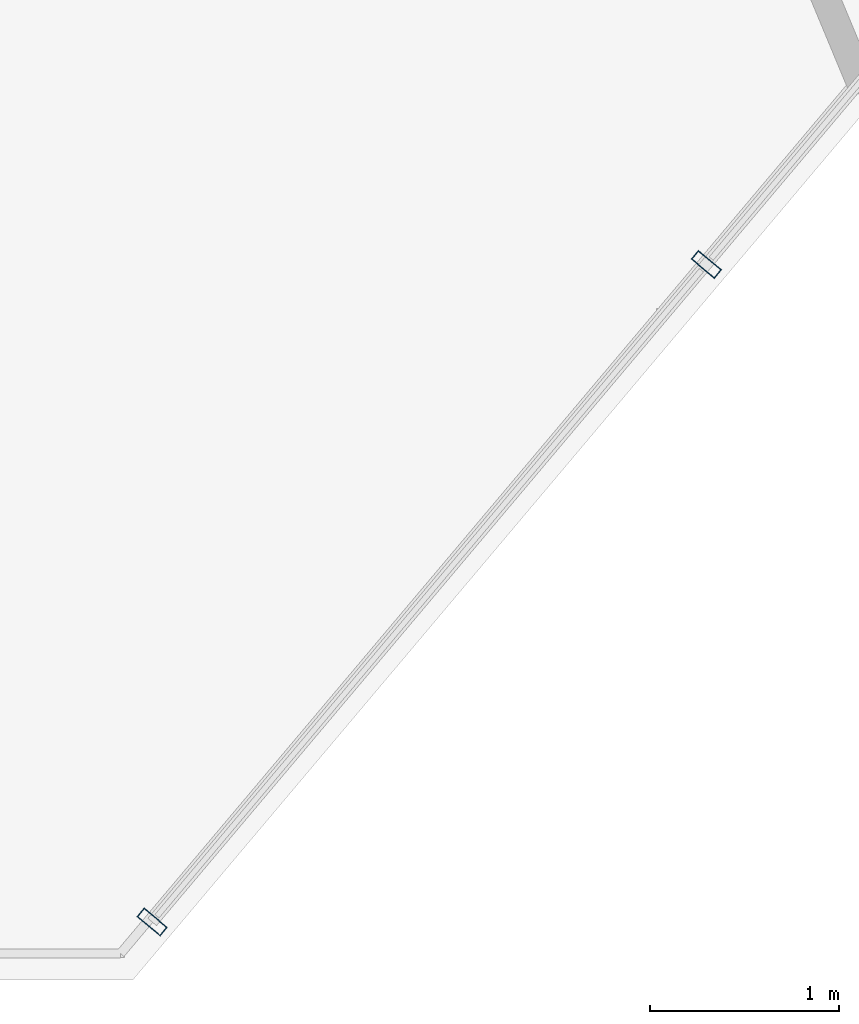
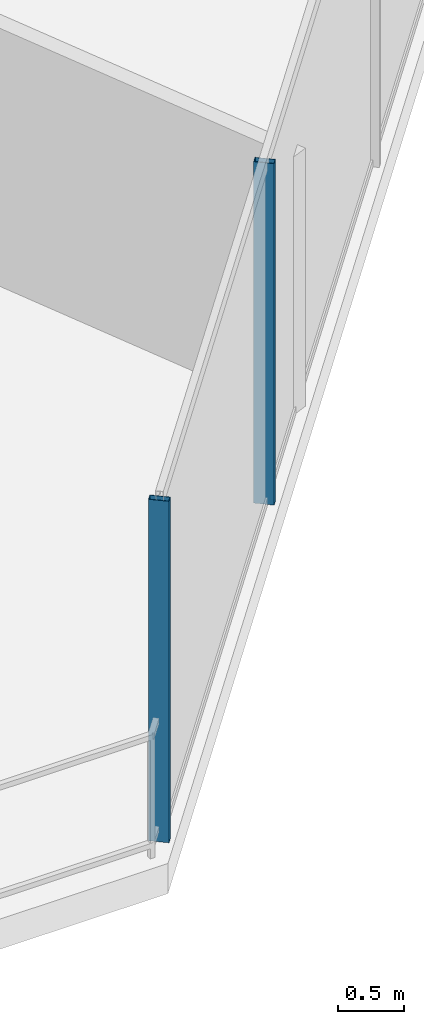
# One storey, part 5 of 31: 2 members, 1 element without a shape of its own.
"""IFC4 building model written with IfcOpenShell, lengths in metres."""

from ifc_helpers import new_model, si_unit, direction, frame, origin, origin_2d, place, context, subcontext, project, spatial, hollow_rectangle, extrude, material, layer, layer_set, material_profile, profile_set, type_object, element, aggregate, save


model = new_model("IFC4")

# Units and contexts
model_context = context("Model", 3, precision=1e-05, world=origin(), true_north=direction((0.0, 1.0)))
body_context = subcontext(model_context, "Body", "Model", "MODEL_VIEW")
ifc_project = project(units=[si_unit("LENGTHUNIT", "METRE"), si_unit("AREAUNIT", "SQUARE_METRE"), si_unit("VOLUMEUNIT", "CUBIC_METRE"), si_unit("PLANEANGLEUNIT", "RADIAN"), si_unit("MASSUNIT", "GRAM", prefix="KILO")], contexts=[model_context])

# Site, building, storey
site_placement = place(None, origin())
site = spatial("IfcSite", under=ifc_project, at=site_placement, CompositionType="ELEMENT")
building_placement = place(site_placement, origin())
building = spatial("IfcBuilding", under=site, at=building_placement, Name="Qarnah Convention Tower", CompositionType="ELEMENT")
storey_placement = place(building_placement, frame((0.0, 0.0, 33.89990234375)))
storey = spatial("IfcBuildingStorey", under=building, at=storey_placement, Name="L07", CompositionType="ELEMENT", Elevation=33.89990234375)

# Curtain wall, members
ifc_material_1 = material(Name="Tempered Low-E dark glass", Category="glass")
ifc_layer = layer(ifc_material_1, 0.16796875)
ifc_layer_set = layer_set([ifc_layer], Name="Tempered Low-E dark glass")
curtain_wall_type = type_object("IfcCurtainWallType", Name="CWS-01", PredefinedType="NOTDEFINED", material=ifc_layer_set)
curtain_wall_placement = place(storey_placement, origin())
curtain_wall = element("IfcCurtainWall", 1, at=curtain_wall_placement, inside=storey, type_object=curtain_wall_type, Name="L07 unitised curtain wall CW-L07-F4", PredefinedType="NOTDEFINED")
ifc_material_2 = material(Name="Black anodised aluminium", Category="aluminium")
ifc_material_profile = material_profile(ifc_material_2, hollow_rectangle(XDim=0.06005859375, YDim=0.159912109375, WallThickness=0.00390625, at=origin_2d()), Name="MUL-60X160")
ifc_profile_set = profile_set([ifc_material_profile], Name="Black anodised aluminium")
member_type = type_object("IfcMemberType", Name="MUL-T1", PredefinedType="MULLION", material=ifc_profile_set)
member_1_placement = place(storey_placement, frame((45.03076171875, 4.38427734375, 0.0), z_axis=(0.0, 0.0, 1.0), x_axis=(-0.644442674892, -0.764652626215, 0.0)))
member_1 = element("IfcMember", 2, at=member_1_placement, type_object=member_type, Name="CW-L07-F4 mullion 3", PredefinedType="MULLION", context=body_context, shape_type="SweptSolid", body=[
    extrude(hollow_rectangle(XDim=0.06005859375, YDim=0.159912109375, WallThickness=0.00390625, at=origin_2d()), origin(), (0.0, 0.0, 1.0), 3.170166015625),
])
member_2_placement = place(storey_placement, frame((42.10009765625, 0.906982421875, 0.0), z_axis=(0.0, 0.0, 1.0), x_axis=(-0.644442674892, -0.764652626215, 0.0)))
member_2 = element("IfcMember", 3, at=member_2_placement, type_object=member_type, Name="CW-L07-F4 mullion 4", PredefinedType="MULLION", context=body_context, shape_type="SweptSolid", body=[
    extrude(hollow_rectangle(XDim=0.06005859375, YDim=0.159912109375, WallThickness=0.00390625, at=origin_2d()), origin(), (0.0, 0.0, 1.0), 3.170166015625),
])
aggregate(curtain_wall, [member_1, member_2])

save(model, "model.ifc")
